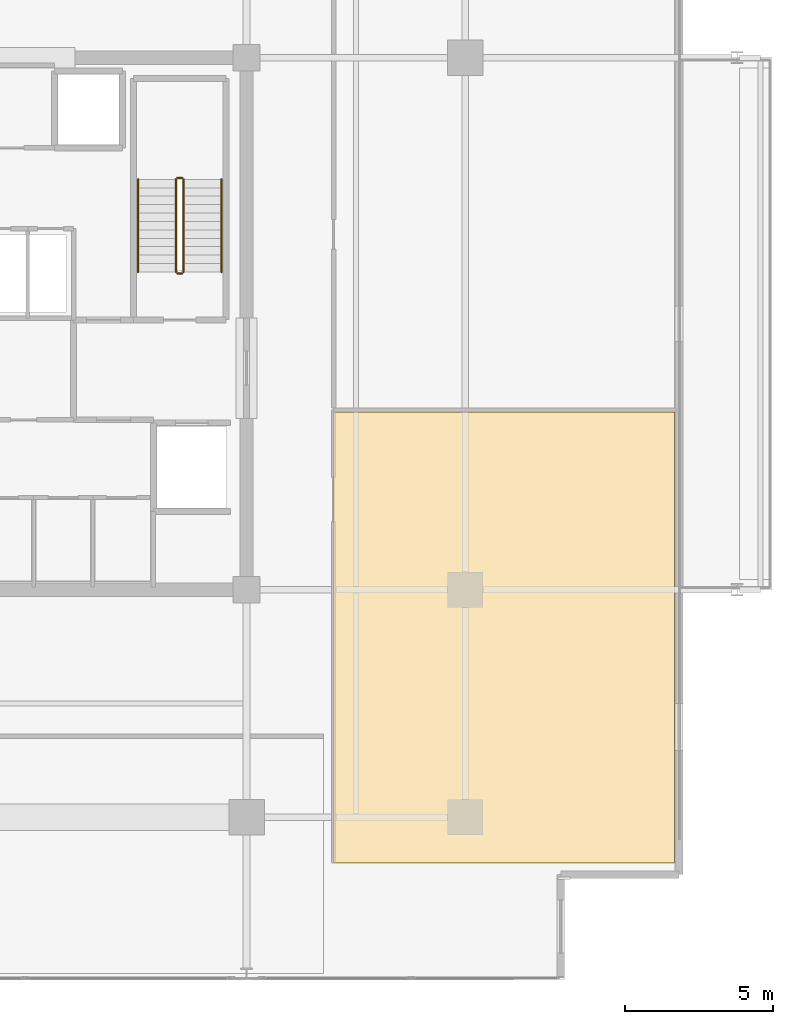
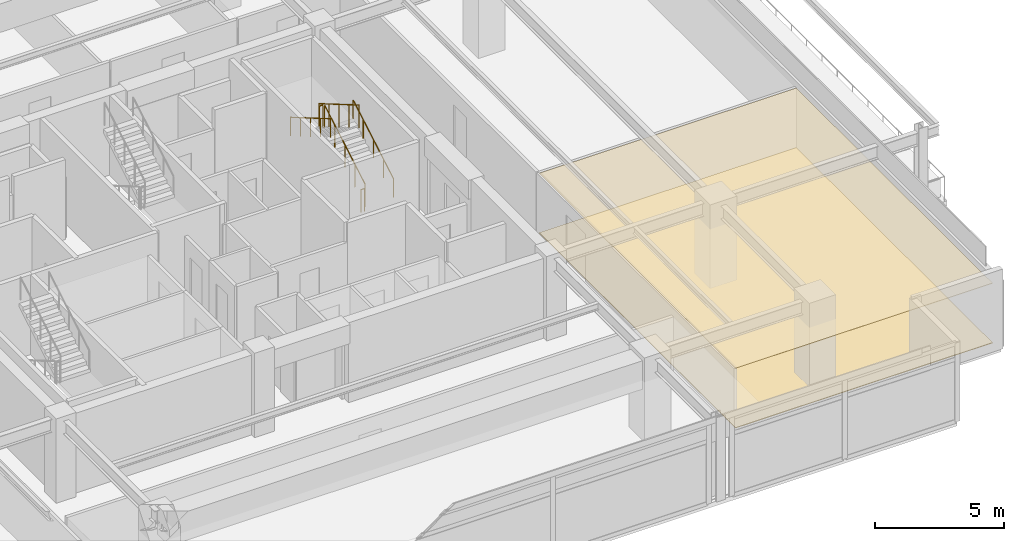
# One storey, part 20 of 21: 6 railings, 2 coverings.
"""IFC4 building model written with IfcOpenShell, lengths in metres."""

from ifc_helpers import new_model, si_unit, direction, frame, origin, origin_2d, place, context, subcontext, project, spatial, polyline, circle, outline, extrude, material, layer, layer_set, type_object, element, save


model = new_model("IFC4")

# Units and contexts
model_context = context("Model", 3, precision=1e-05, world=origin(), true_north=direction((0.0, 1.0)))
body_context = subcontext(model_context, "Body", "Model", "MODEL_VIEW")
ifc_project = project(units=[si_unit("LENGTHUNIT", "METRE"), si_unit("AREAUNIT", "SQUARE_METRE"), si_unit("VOLUMEUNIT", "CUBIC_METRE"), si_unit("PLANEANGLEUNIT", "RADIAN"), si_unit("MASSUNIT", "GRAM", prefix="KILO")], contexts=[model_context])

# Site, building, storey
site_placement = place(None, origin())
site = spatial("IfcSite", under=ifc_project, at=site_placement, CompositionType="ELEMENT")
building_placement = place(site_placement, origin())
building = spatial("IfcBuilding", under=site, at=building_placement, Name="Kovane Verandah Tower", CompositionType="ELEMENT")
storey_placement = place(building_placement, frame((0.0, 0.0, 283.199951171875)))
storey = spatial("IfcBuildingStorey", under=building, at=storey_placement, Name="L66", CompositionType="ELEMENT", Elevation=283.199951171875)

# Coverings
ifc_material_1 = material(Name="Perforated Acoustic Mineral-Fibre Ceiling Tile", Category="gypsum")
ifc_layer_1 = layer(ifc_material_1, 0.02490234375)
ifc_layer_set_1 = layer_set([ifc_layer_1], Name="Perforated Acoustic Mineral-Fibre Ceiling Tile")
covering_type_1 = type_object("IfcCoveringType", Name="CV-CEIL-25", PredefinedType="CEILING", material=ifc_layer_set_1)
covering_1_placement = place(storey_placement, frame((0.0, 0.0, 2.824951171875)))
element("IfcCovering", 1, at=covering_1_placement, inside=storey, type_object=covering_type_1, Name="L66 Client Boardroom E1 Acoustic Ceiling", PredefinedType="CEILING", context=body_context, shape_type="SweptSolid", body=[
    extrude(outline(polyline([(53.949951171875, 9.259521484375), (65.481201171875, 9.259521484375), (65.481201171875, 24.511474609375), (53.949951171875, 24.511474609375), (53.949951171875, 9.259521484375)])), origin(), (0.0, 0.0, 1.0), 0.025146484375),
])
ifc_material_2 = material(Name="Polished Terrazzo and Raised-Access Carpet Tile Finish", Category="concrete")
ifc_layer_2 = layer(ifc_material_2, 0.030029296875)
ifc_layer_set_2 = layer_set([ifc_layer_2], Name="Polished Terrazzo and Raised-Access Carpet Tile Finish")
covering_type_2 = type_object("IfcCoveringType", Name="CV-FLOR-30", PredefinedType="FLOORING", material=ifc_layer_set_2)
covering_2_placement = place(storey_placement, origin())
element("IfcCovering", 2, at=covering_2_placement, inside=storey, type_object=covering_type_2, Name="L66 Client Boardroom E1 Floor Finish", PredefinedType="FLOORING", context=body_context, shape_type="SweptSolid", body=[
    extrude(outline(polyline([(53.949951171875, 9.259521484375), (65.481201171875, 9.259521484375), (65.481201171875, 24.511474609375), (53.949951171875, 24.511474609375), (53.949951171875, 9.259521484375)])), origin(), (0.0, 0.0, 1.0), 0.030029296875),
])

# Railings
ifc_material_3 = material(Name="Brushed Stainless Steel Handrail", Category="steel")
railing_type_1 = type_object("IfcRailingType", Name="RL-HAND-920", PredefinedType="HANDRAIL", material=ifc_material_3)
railing_1_placement = place(storey_placement, frame((50.14990234375, 29.25, 0.166748046875)))
element("IfcRailing", 3, at=railing_1_placement, inside=storey, type_object=railing_type_1, Name="L66 ST-02 stair handrail 1", PredefinedType="HANDRAIL", context=body_context, shape_type="SweptSolid", body=[
    extrude(circle(Radius=0.02392578125, at=origin_2d()), frame((0.0, 0.0, 0.8759765625), z_axis=(0.0, 0.863239559939, 0.504794475164), x_axis=(-1.0, 0.0, 0.0)), (0.0, 0.0, 1.0), 3.631591796875),
    extrude(circle(Radius=0.02099609375, at=origin_2d()), origin(), (0.0, 0.0, 1.0), 0.851806640625),
    extrude(circle(Radius=0.02099609375, at=origin_2d()), frame((0.0, 0.78369140625, 0.458251953125)), (0.0, 0.0, 1.0), 0.851806640625),
    extrude(circle(Radius=0.02099609375, at=origin_2d()), frame((0.0, 1.5673828125, 0.91650390625)), (0.0, 0.0, 1.0), 0.851806640625),
    extrude(circle(Radius=0.02099609375, at=origin_2d()), frame((0.0, 2.351318359375, 1.375)), (0.0, 0.0, 1.0), 0.851806640625),
    extrude(circle(Radius=0.02099609375, at=origin_2d()), frame((0.0, 3.135009765625, 1.833251953125)), (0.0, 0.0, 1.0), 0.851806640625),
])
railing_2_placement = place(storey_placement, frame((47.330078125, 32.385009765625, 2.166748046875)))
element("IfcRailing", 4, at=railing_2_placement, inside=storey, type_object=railing_type_1, Name="L66 ST-02 stair handrail 2", PredefinedType="HANDRAIL", context=body_context, shape_type="SweptSolid", body=[
    extrude(circle(Radius=0.02392578125, at=origin_2d()), frame((0.0, 0.0, 0.8759765625), z_axis=(0.0, -0.863239559939, 0.504794475164), x_axis=(1.0, 0.0, 0.0)), (0.0, 0.0, 1.0), 3.631591796875),
    extrude(circle(Radius=0.02099609375, at=origin_2d()), origin(), (0.0, 0.0, 1.0), 0.851806640625),
    extrude(circle(Radius=0.02099609375, at=origin_2d()), frame((0.0, -0.78369140625, 0.458251953125)), (0.0, 0.0, 1.0), 0.851806640625),
    extrude(circle(Radius=0.02099609375, at=origin_2d()), frame((0.0, -1.5673828125, 0.91650390625)), (0.0, 0.0, 1.0), 0.851806640625),
    extrude(circle(Radius=0.02099609375, at=origin_2d()), frame((0.0, -2.351318359375, 1.375)), (0.0, 0.0, 1.0), 0.851806640625),
    extrude(circle(Radius=0.02099609375, at=origin_2d()), frame((0.0, -3.135009765625, 1.833251953125)), (0.0, 0.0, 1.0), 0.851806640625),
])
ifc_material_4 = material(Name="Painted Steel Stairwell Guardrail", Category="steel")
railing_type_2 = type_object("IfcRailingType", Name="RL-STGUARD-1120", PredefinedType="GUARDRAIL", material=ifc_material_4)
railing_3_placement = place(storey_placement, frame((48.8701171875, 29.25, 0.166748046875)))
element("IfcRailing", 5, at=railing_3_placement, inside=storey, type_object=railing_type_2, Name="L66 ST-02 stair guard 1", PredefinedType="GUARDRAIL", context=body_context, shape_type="SweptSolid", body=[
    extrude(circle(Radius=0.02392578125, at=origin_2d()), frame((0.0, 0.0, 1.076171875), z_axis=(0.0, 0.863239559939, 0.504794475164), x_axis=(-1.0, 0.0, 0.0)), (0.0, 0.0, 1.0), 3.631591796875),
    extrude(circle(Radius=0.02099609375, at=origin_2d()), origin(), (0.0, 0.0, 1.0), 1.052001953125),
    extrude(circle(Radius=0.02099609375, at=origin_2d()), frame((0.0, 0.78369140625, 0.458251953125)), (0.0, 0.0, 1.0), 1.052001953125),
    extrude(circle(Radius=0.02099609375, at=origin_2d()), frame((0.0, 1.5673828125, 0.91650390625)), (0.0, 0.0, 1.0), 1.052001953125),
    extrude(circle(Radius=0.02099609375, at=origin_2d()), frame((0.0, 2.351318359375, 1.375)), (0.0, 0.0, 1.0), 1.052001953125),
    extrude(circle(Radius=0.02099609375, at=origin_2d()), frame((0.0, 3.135009765625, 1.833251953125)), (0.0, 0.0, 1.0), 1.052001953125),
])
railing_4_placement = place(storey_placement, frame((48.820068359375, 32.43505859375, 2.0)))
element("IfcRailing", 6, at=railing_4_placement, inside=storey, type_object=railing_type_2, Name="L66 ST-02 stair guard 2", PredefinedType="GUARDRAIL", context=body_context, shape_type="SweptSolid", body=[
    extrude(circle(Radius=0.02392578125, at=origin_2d()), frame((0.0, 0.0, 1.076171875), z_axis=(-1.0, 0.0, 0.0), x_axis=(0.0, -1.0, 0.0)), (0.0, 0.0, 1.0), 0.16015625),
    extrude(circle(Radius=0.02099609375, at=origin_2d()), origin(), (0.0, 0.0, 1.0), 1.052001953125),
    extrude(circle(Radius=0.02099609375, at=origin_2d()), frame((-0.16015625, 0.0, 0.0)), (0.0, 0.0, 1.0), 1.052001953125),
])
railing_5_placement = place(storey_placement, frame((48.610107421875, 32.385009765625, 2.166748046875)))
element("IfcRailing", 7, at=railing_5_placement, inside=storey, type_object=railing_type_2, Name="L66 ST-02 stair guard 3", PredefinedType="GUARDRAIL", context=body_context, shape_type="SweptSolid", body=[
    extrude(circle(Radius=0.02392578125, at=origin_2d()), frame((0.0, 0.0, 1.076171875), z_axis=(0.0, -0.863239559939, 0.504794475164), x_axis=(1.0, 0.0, 0.0)), (0.0, 0.0, 1.0), 3.631591796875),
    extrude(circle(Radius=0.02099609375, at=origin_2d()), origin(), (0.0, 0.0, 1.0), 1.052001953125),
    extrude(circle(Radius=0.02099609375, at=origin_2d()), frame((0.0, -0.78369140625, 0.458251953125)), (0.0, 0.0, 1.0), 1.052001953125),
    extrude(circle(Radius=0.02099609375, at=origin_2d()), frame((0.0, -1.5673828125, 0.91650390625)), (0.0, 0.0, 1.0), 1.052001953125),
    extrude(circle(Radius=0.02099609375, at=origin_2d()), frame((0.0, -2.351318359375, 1.375)), (0.0, 0.0, 1.0), 1.052001953125),
    extrude(circle(Radius=0.02099609375, at=origin_2d()), frame((0.0, -3.135009765625, 1.833251953125)), (0.0, 0.0, 1.0), 1.052001953125),
])
railing_6_placement = place(storey_placement, frame((48.820068359375, 29.199951171875, 0.0)))
element("IfcRailing", 8, at=railing_6_placement, inside=storey, type_object=railing_type_2, Name="L66 ST-02 stair guard 4", PredefinedType="GUARDRAIL", context=body_context, shape_type="SweptSolid", body=[
    extrude(circle(Radius=0.02392578125, at=origin_2d()), frame((0.0, 0.0, 1.076171875), z_axis=(-1.0, 0.0, 0.0), x_axis=(0.0, -1.0, 0.0)), (0.0, 0.0, 1.0), 0.16015625),
    extrude(circle(Radius=0.02099609375, at=origin_2d()), origin(), (0.0, 0.0, 1.0), 1.052001953125),
    extrude(circle(Radius=0.02099609375, at=origin_2d()), frame((-0.16015625, 0.0, 0.0)), (0.0, 0.0, 1.0), 1.052001953125),
])

save(model, "model.ifc")
